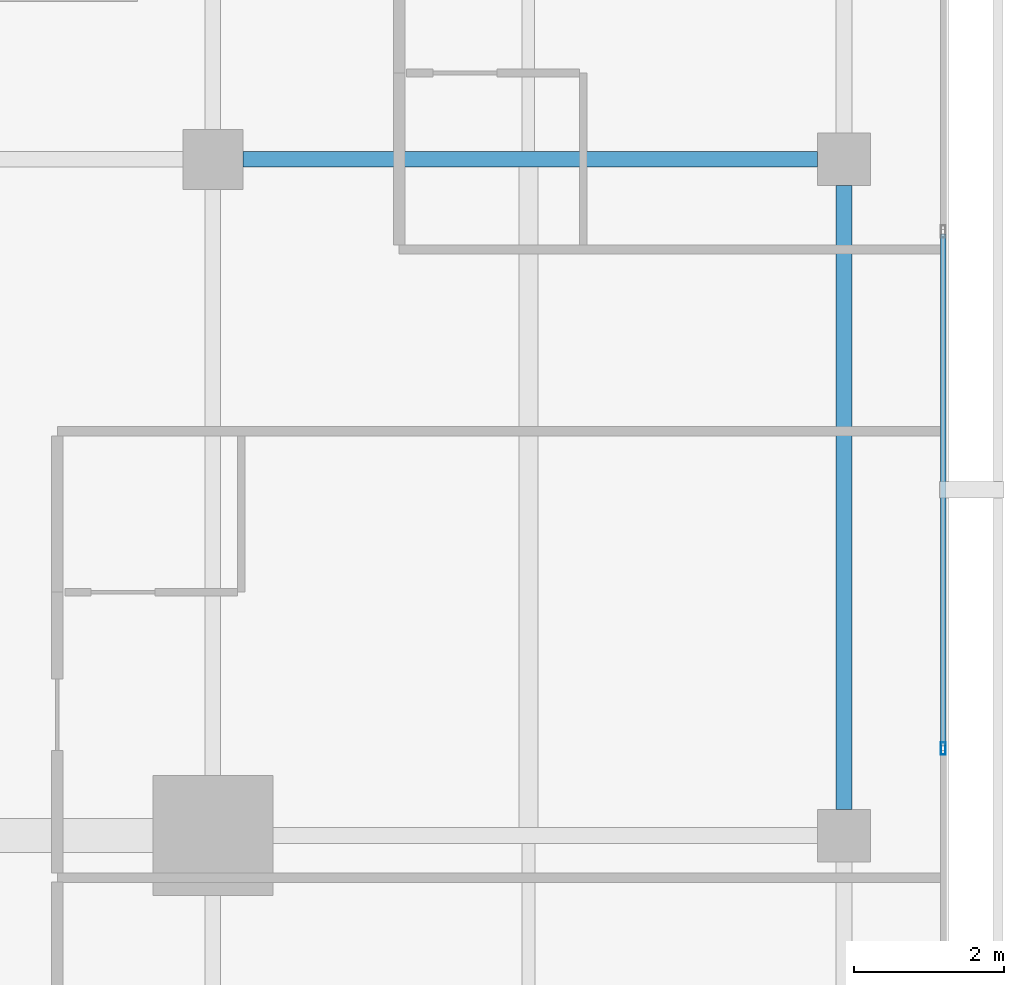
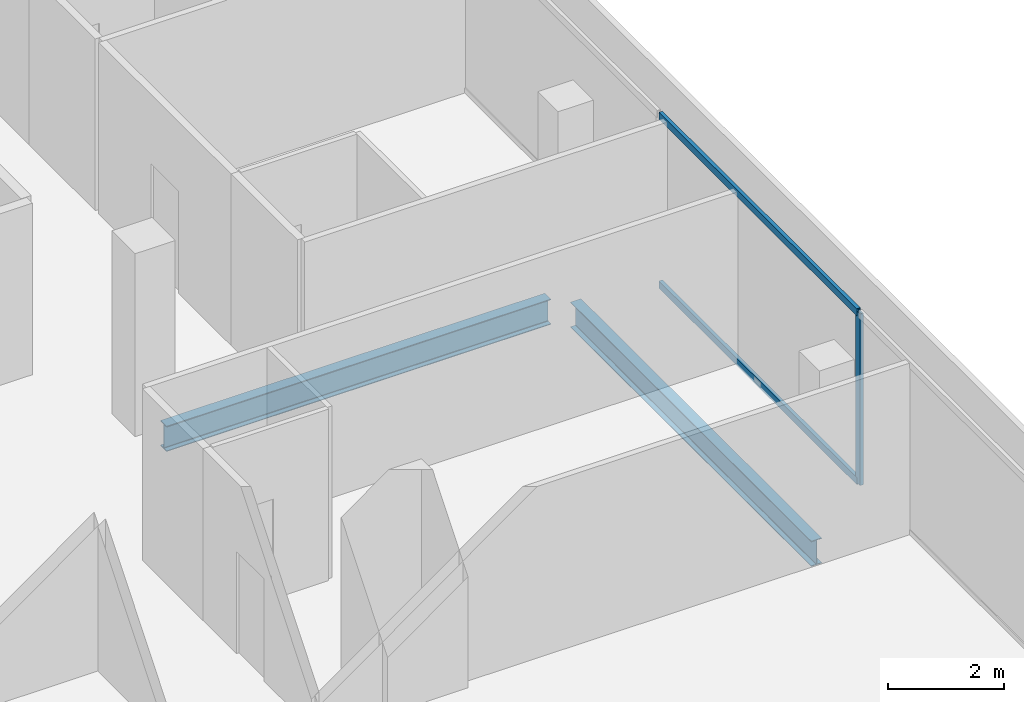
# One storey, part 14 of 26: 3 members, 2 beams, 1 element without a shape of its own.
"""IFC4 building model written with IfcOpenShell, lengths in metres."""

from ifc_helpers import new_model, si_unit, direction, frame, origin, origin_2d, place, context, subcontext, project, spatial, hollow_rectangle, i_section, extrude, material, layer, layer_set, material_profile, profile_set, type_object, element, aggregate, save


model = new_model("IFC4")

# Units and contexts
model_context = context("Model", 3, precision=1e-05, world=origin(), true_north=direction((0.0, 1.0)))
body_context = subcontext(model_context, "Body", "Model", "MODEL_VIEW")
ifc_project = project(units=[si_unit("LENGTHUNIT", "METRE"), si_unit("AREAUNIT", "SQUARE_METRE"), si_unit("VOLUMEUNIT", "CUBIC_METRE"), si_unit("PLANEANGLEUNIT", "RADIAN"), si_unit("MASSUNIT", "GRAM", prefix="KILO")], contexts=[model_context])

# Site, building, storey
site_placement = place(None, origin())
site = spatial("IfcSite", under=ifc_project, at=site_placement, CompositionType="ELEMENT")
building_placement = place(site_placement, origin())
building = spatial("IfcBuilding", under=site, at=building_placement, Name="Maruvema Waterfront Hotel and Observation Tower", CompositionType="ELEMENT")
storey_placement = place(building_placement, frame((0.0, 0.0, 266.35009765625)))
storey = spatial("IfcBuildingStorey", under=building, at=storey_placement, Name="L65", CompositionType="ELEMENT", Elevation=266.35009765625)

# Curtain wall, members
ifc_material_1 = material(Name="Anodised bronze aluminium and solar-control low-E IGU", Category="aluminium")
ifc_layer = layer(ifc_material_1, 0.159912109375, Name="Zone 3 Champagne Inner Thermal Curtain Wall System CW-04")
ifc_layer_set = layer_set([ifc_layer], Name="Anodised bronze aluminium and solar-control low-E IGU")
curtain_wall_type = type_object("IfcCurtainWallType", Name="Zone 3 Champagne Inner Thermal Curtain Wall System CW-04", PredefinedType="USERDEFINED", material=ifc_layer_set)
curtain_wall_placement = place(storey_placement, origin())
curtain_wall = element("IfcCurtainWall", 1, at=curtain_wall_placement, inside=storey, type_object=curtain_wall_type, Name="L65 Curtain Wall CW-L65-E", ObjectType="UNITISED CURTAIN WALL", PredefinedType="USERDEFINED")
ifc_material_2 = material(Name="Anodised architectural bronze aluminium", Category="aluminium")
ifc_material_profile_1 = material_profile(ifc_material_2, hollow_rectangle(XDim=0.070068359375, YDim=0.14990234375, WallThickness=0.00390625, at=origin_2d()), Name="ALU-T70x150")
ifc_profile_set_1 = profile_set([ifc_material_profile_1], Name="Anodised architectural bronze aluminium")
member_type_1 = type_object("IfcMemberType", Name="Curtain Wall Horizontal Transom ALU-T70x150", PredefinedType="USERDEFINED", material=ifc_profile_set_1)
member_1_placement = place(storey_placement, frame((60.1201171875, 28.18994140625, 0.02978515625), z_axis=(0.0, 1.0, 0.0), x_axis=(-1.0, 0.0, 0.0)))
member_1 = element("IfcMember", 2, at=member_1_placement, type_object=member_type_1, Name="CW-04 transom 3.1", ObjectType="TRANSOM", PredefinedType="USERDEFINED", context=body_context, shape_type="SweptSolid", body=[
    extrude(hollow_rectangle(XDim=0.070068359375, YDim=0.14990234375, WallThickness=0.00390625, at=origin_2d()), origin(), (0.0, 0.0, 1.0), 6.820068359375),
])
member_2_placement = place(storey_placement, frame((60.1201171875, 28.18994140625, 3.579833984375), z_axis=(0.0, 1.0, 0.0), x_axis=(-1.0, 0.0, 0.0)))
member_2 = element("IfcMember", 3, at=member_2_placement, type_object=member_type_1, Name="CW-04 transom 3.2", ObjectType="TRANSOM", PredefinedType="USERDEFINED", context=body_context, shape_type="SweptSolid", body=[
    extrude(hollow_rectangle(XDim=0.070068359375, YDim=0.14990234375, WallThickness=0.00390625, at=origin_2d()), origin(), (0.0, 0.0, 1.0), 6.820068359375),
])
ifc_material_3 = material(Name="Anodised architectural bronze aluminium", Category="aluminium")
ifc_material_profile_2 = material_profile(ifc_material_3, hollow_rectangle(XDim=0.06494140625, YDim=0.1650390625, WallThickness=0.00390625, at=origin_2d()), Name="ALU-M65x165")
ifc_profile_set_2 = profile_set([ifc_material_profile_2], Name="Anodised architectural bronze aluminium")
member_type_2 = type_object("IfcMemberType", Name="Curtain Wall Primary Mullion ALU-M65x165", PredefinedType="MULLION", material=ifc_profile_set_2)
member_3_placement = place(storey_placement, frame((60.1201171875, 28.159912109375, 0.0), z_axis=(0.0, 0.0, 1.0), x_axis=(-1.0, 0.0, 0.0)))
member_3 = element("IfcMember", 4, at=member_3_placement, type_object=member_type_2, Name="CW-04 mullion 3", PredefinedType="MULLION", context=body_context, shape_type="SweptSolid", body=[
    extrude(hollow_rectangle(XDim=0.06494140625, YDim=0.1650390625, WallThickness=0.00390625, at=origin_2d()), origin(), (0.0, 0.0, 1.0), 3.60986328125),
])
aggregate(curtain_wall, [member_3, member_1, member_2])

# Beams
ifc_material_4 = material(Name="Steel ASTM A572 Grade 50", Category="steel")
ifc_material_profile_3 = material_profile(ifc_material_4, i_section(OverallWidth=0.208984375, OverallDepth=0.532958984375, WebThickness=0.01025390625, FlangeThickness=0.015625, FilletRadius=0.014892578125, at=origin_2d()), Name="W530x92.0")
ifc_profile_set_3 = profile_set([ifc_material_profile_3], Name="Steel ASTM A572 Grade 50")
beam_type = type_object("IfcBeamType", Name="Primary Floor Girder W530x92.0", PredefinedType="BEAM", material=ifc_profile_set_3)
beam_1_placement = place(storey_placement, frame((50.800048828125, 36.0, -0.506591796875), z_axis=(1.0, 0.0, 0.0), x_axis=(0.0, 1.0, 0.0)))
element("IfcBeam", 5, at=beam_1_placement, inside=storey, type_object=beam_type, Name="L65 Floor Girder EW-16", PredefinedType="BEAM", context=body_context, shape_type="SweptSolid", body=[
    extrude(i_section(OverallWidth=0.208984375, OverallDepth=0.532958984375, WebThickness=0.01025390625, FlangeThickness=0.015625, FilletRadius=0.014892578125, at=origin_2d()), origin(), (0.0, 0.0, 1.0), 7.64990234375),
])
beam_2_placement = place(storey_placement, frame((58.800048828125, 27.35009765625, -0.506591796875), z_axis=(0.0, 1.0, 0.0), x_axis=(-1.0, 0.0, 0.0)))
element("IfcBeam", 6, at=beam_2_placement, inside=storey, type_object=beam_type, Name="L65 Floor Girder NS-17", PredefinedType="BEAM", context=body_context, shape_type="SweptSolid", body=[
    extrude(i_section(OverallWidth=0.208984375, OverallDepth=0.532958984375, WebThickness=0.01025390625, FlangeThickness=0.015625, FilletRadius=0.014892578125, at=origin_2d()), origin(), (0.0, 0.0, 1.0), 8.2998046875),
])

save(model, "model.ifc")
